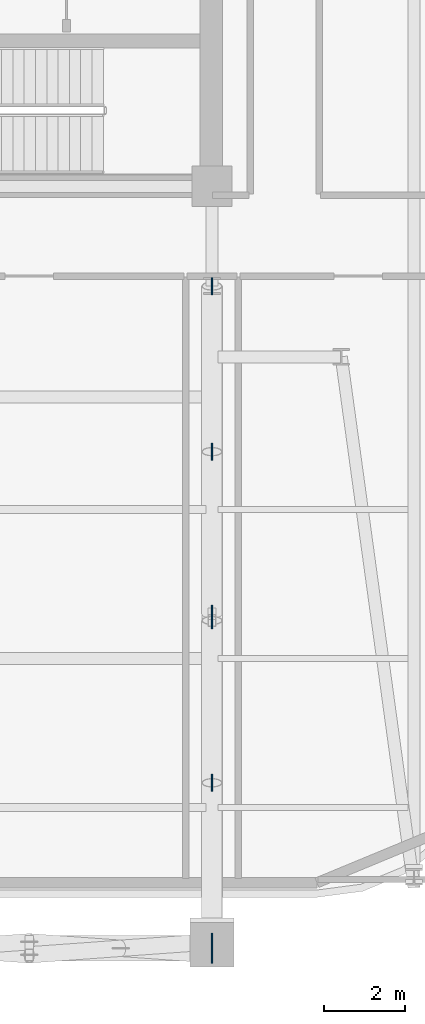
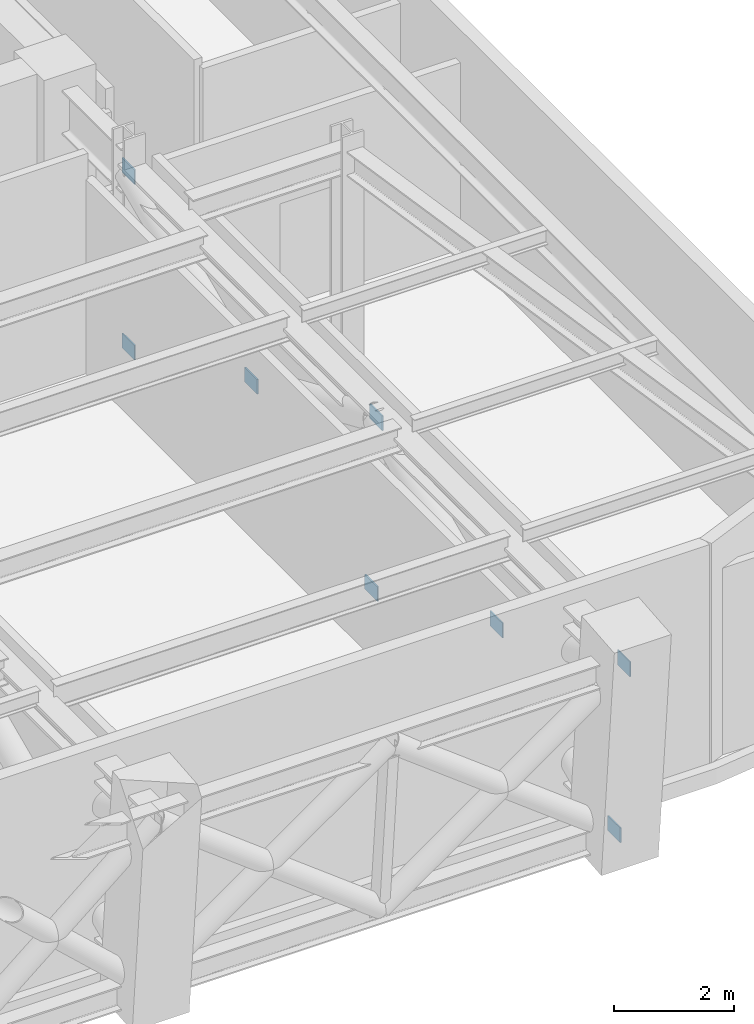
# One storey, part 6 of 12: 8 plates.
"""IFC4 building model written with IfcOpenShell, lengths in metres."""

import ifcopenshell
import ifcopenshell.guid

model = None  # the IFC model being written
_history = None  # IfcOwnerHistory: only IFC2X3 demands one
_inside = {}  # id of a spatial element -> (the spatial element, [elements in it])
_under = {}  # id of a project, library or spatial element -> (it, [spatial elements below it])
_declared = {}  # id of a project -> (the project, [libraries it declares])
_typed = {}  # id of a type object -> (the type object, [elements of that type])
_made_of = {}  # id of a material, layer set ... -> (it, [elements and type objects made of it])


def new_model(schema):
    """Start an empty IFC model of exactly this schema.

    Asked for "IFC4X3", IfcOpenShell would pick the latest addendum, in which some entities
    have other attributes; the version numbers below select the first issue.
    IFC2X3 requires an IfcOwnerHistory on every rooted entity: one is made here for all.
    """
    global model, _history
    if schema == "IFC4X3":
        model = ifcopenshell.file(schema_version=(4, 3, 0, 0))
    else:
        model = ifcopenshell.file(schema=schema)
    _inside.clear()
    _under.clear()
    _declared.clear()
    _typed.clear()
    _made_of.clear()
    _history = None
    if model.schema == "IFC2X3":
        org = make("IfcOrganization", Name="unknown")
        user = make(
            "IfcPersonAndOrganization",
            ThePerson=make("IfcPerson", FamilyName="unknown"),
            TheOrganization=org,
        )
        app = make(
            "IfcApplication",
            ApplicationDeveloper=org,
            Version="unknown",
            ApplicationFullName="unknown",
            ApplicationIdentifier="unknown",
        )
        _history = make(
            "IfcOwnerHistory",
            OwningUser=user,
            OwningApplication=app,
            ChangeAction="ADDED",
            CreationDate=0,
        )
    return model


def make(cls, **values):
    """One entity of the class cls with the attributes given. An attribute that is None is left unset."""
    return model.create_entity(
        cls, **{name: value for name, value in values.items() if value is not None}
    )


def rooted(cls, **values):
    """An entity with a GlobalId (a new one), such as an element, a storey or a relation."""
    return make(cls, GlobalId=ifcopenshell.guid.new(), OwnerHistory=_history, **values)


def si_unit(unit_type, name, prefix=None):
    """IfcSIUnit, for example si_unit("LENGTHUNIT", "METRE", prefix="MILLI")."""
    return make("IfcSIUnit", UnitType=unit_type, Prefix=prefix, Name=name)


def assignment(units):
    """IfcUnitAssignment: the units of a project."""
    return None if units is None else make("IfcUnitAssignment", Units=units)


def point(xyz):
    """IfcCartesianPoint."""
    return None if xyz is None else make("IfcCartesianPoint", Coordinates=xyz)


def direction(xyz):
    """IfcDirection."""
    return None if xyz is None else make("IfcDirection", DirectionRatios=xyz)


def frame(location, z_axis=None, x_axis=None):
    """IfcAxis2Placement3D, a coordinate frame: its origin and axes. An axis left out is left unset."""
    return make(
        "IfcAxis2Placement3D",
        Location=point(location),
        Axis=direction(z_axis),
        RefDirection=direction(x_axis),
    )


def frame_2d(location, x_axis=None):
    """IfcAxis2Placement2D, a coordinate frame in the plane: its origin and x axis."""
    return make(
        "IfcAxis2Placement2D", Location=point(location), RefDirection=direction(x_axis)
    )


def origin():
    """The frame at (0, 0, 0) with its axes left unset."""
    return frame((0.0, 0.0, 0.0))


def origin_2d():
    """The frame at (0, 0) in the plane with its x axis left unset."""
    return frame_2d((0.0, 0.0))


def place(relative_to, where):
    """IfcLocalPlacement: puts the frame where relative to a parent placement (None: the world)."""
    return make(
        "IfcLocalPlacement", PlacementRelTo=relative_to, RelativePlacement=where
    )


def context(
    kind, dimensions, precision=None, world=None, true_north=None, identifier=None
):
    """IfcGeometricRepresentationContext, for example the 3D "Model" context."""
    return make(
        "IfcGeometricRepresentationContext",
        ContextIdentifier=identifier,
        ContextType=kind,
        CoordinateSpaceDimension=dimensions,
        Precision=precision,
        WorldCoordinateSystem=world,
        TrueNorth=true_north,
    )


def subcontext(parent, identifier, kind, view, scale=None):
    """IfcGeometricRepresentationSubContext, for example "Body" below "Model"."""
    return make(
        "IfcGeometricRepresentationSubContext",
        ContextIdentifier=identifier,
        ContextType=kind,
        ParentContext=parent,
        TargetScale=scale,
        TargetView=view,
    )


def project(units=None, contexts=None):
    """IfcProject with its units and contexts."""
    return rooted(
        "IfcProject",
        Name="project",
        RepresentationContexts=contexts,
        UnitsInContext=assignment(units),
    )


def spatial(cls, under=None, at=None, **own):
    """A site, building, storey or space (cls), placed at a placement, below another one or the project."""
    s = rooted(cls, ObjectPlacement=at, **own)
    if under is not None:
        _under.setdefault(under.id(), (under, []))[1].append(s)
    return s


def profile(cls, at=None, kind="AREA", **sizes):
    """A parametric profile (cls). Its sizes go by their IFC names, for example OverallWidth=200.0."""
    return make(cls, ProfileType=kind, Position=at, **sizes)


def rectangle(**sizes):
    """IfcRectangleProfileDef."""
    return profile("IfcRectangleProfileDef", **sizes)


def extrude(swept, where, along, depth):
    """IfcExtrudedAreaSolid: the profile swept, set in the frame where, extruded along a direction by depth."""
    return make(
        "IfcExtrudedAreaSolid",
        SweptArea=swept,
        Position=where,
        ExtrudedDirection=direction(along),
        Depth=depth,
    )


def shape(context_of_items, identifier, shape_type, items):
    """IfcShapeRepresentation: the items that make up one representation, for example the "Body"."""
    return make(
        "IfcShapeRepresentation",
        ContextOfItems=context_of_items,
        RepresentationIdentifier=identifier,
        RepresentationType=shape_type,
        Items=items,
    )


def material(Name=None, Category=None):
    """IfcMaterial."""
    return make("IfcMaterial", Name=Name, Category=Category)


def layer(
    of_material, thickness, ventilated=None, Name=None, Category=None, Priority=None
):
    """IfcMaterialLayer: one layer of a wall or slab, of a material (None: an air gap)."""
    return make(
        "IfcMaterialLayer",
        Material=of_material,
        LayerThickness=thickness,
        IsVentilated=ventilated,
        Name=Name,
        Category=Category,
        Priority=Priority,
    )


def layer_set(layers, Name=None):
    """IfcMaterialLayerSet."""
    return make("IfcMaterialLayerSet", MaterialLayers=layers, LayerSetName=Name)


def made_of(thing, what):
    """Note that an element or type object is made of a material, layer set ...; save() writes the relation."""
    if what is not None:
        _made_of.setdefault(what.id(), (what, []))[1].append(thing)
    return thing


def type_object(cls, material=None, **own):
    """A type object (cls), such as IfcWallType, which elements share."""
    return made_of(rooted(cls, **own), material)


def element(
    cls,
    number,
    at=None,
    inside=None,
    cuts=None,
    type_object=None,
    material=None,
    context=None,
    identifier="Body",
    shape_type=None,
    held_by="IfcProductDefinitionShape",
    body=None,
    shapes=None,
    **own,
):
    """One element of the class cls, such as IfcWall. Its Tag is "e" and its number.

    at: its placement. inside: the storey or other place that contains it. cuts: it is an
    opening in that element (IfcRelVoidsElement). A single representation is given by context,
    identifier, shape_type and body (its items); several are given by shapes. held_by: the class
    of the entity that holds the representations. save() writes the other relations.
    """
    e = rooted(cls, Tag="e%d" % number, ObjectPlacement=at, **own)
    if body is not None:
        shapes = [shape(context, identifier, shape_type, body)]
    if shapes is not None:
        e.Representation = make(held_by, Representations=shapes)
    if inside is not None:
        _inside.setdefault(inside.id(), (inside, []))[1].append(e)
    if cuts is not None:
        rooted(
            "IfcRelVoidsElement", RelatingBuildingElement=cuts, RelatedOpeningElement=e
        )
    if type_object is not None:
        _typed.setdefault(type_object.id(), (type_object, []))[1].append(e)
    return made_of(e, material)


def aggregate(whole, parts):
    """IfcRelAggregates: a whole, such as a stair, and the parts it consists of."""
    return rooted("IfcRelAggregates", RelatingObject=whole, RelatedObjects=parts)


def save(model, path):
    """Write the relations noted so far, then the file.

    IfcRelAggregates (storeys below a building ...), IfcRelContainedInSpatialStructure (elements
    in a storey), IfcRelDefinesByType, IfcRelAssociatesMaterial and IfcRelDeclares: one each for
    every whole, place, type object, material and project.
    """
    for whole, parts in _under.values():
        aggregate(whole, parts)
    for where, things in _inside.values():
        rooted(
            "IfcRelContainedInSpatialStructure",
            RelatedElements=things,
            RelatingStructure=where,
        )
    for kind, things in _typed.values():
        rooted("IfcRelDefinesByType", RelatedObjects=things, RelatingType=kind)
    for what, things in _made_of.values():
        rooted("IfcRelAssociatesMaterial", RelatedObjects=things, RelatingMaterial=what)
    for by, libraries in _declared.values():
        rooted("IfcRelDeclares", RelatingContext=by, RelatedDefinitions=libraries)
    model.write(path)


model = new_model("IFC4")

# Units and contexts
model_context = context("Model", 3, precision=1e-05, world=origin(), true_north=direction((0.0, 1.0)))
body_context = subcontext(model_context, "Body", "Model", "MODEL_VIEW")
ifc_project = project(units=[si_unit("LENGTHUNIT", "METRE"), si_unit("AREAUNIT", "SQUARE_METRE"), si_unit("VOLUMEUNIT", "CUBIC_METRE"), si_unit("PLANEANGLEUNIT", "RADIAN"), si_unit("MASSUNIT", "GRAM", prefix="KILO")], contexts=[model_context])

# Site, building, storey
site_placement = place(None, origin())
site = spatial("IfcSite", under=ifc_project, at=site_placement, CompositionType="ELEMENT")
building_placement = place(site_placement, origin())
building = spatial("IfcBuilding", under=site, at=building_placement, Name="Zarnavel Station Tower", CompositionType="ELEMENT")
storey_placement = place(building_placement, frame((0.0, 0.0, 188.39990234375)))
storey = spatial("IfcBuildingStorey", under=building, at=storey_placement, Name="L51", CompositionType="ELEMENT", Elevation=188.39990234375)

# Plates
ifc_material = material(Name="Steel S460M", Category="steel")
ifc_layer = layer(ifc_material, 0.02490234375)
ifc_layer_set = layer_set([ifc_layer], Name="GP_GUSSET_25")
plate_type = type_object("IfcPlateType", Name="GP_GUSSET_25", PredefinedType="USERDEFINED", material=ifc_layer_set)
for number, where, z_axis, x_axis, name in (
    (1, (45.39990234375, 9.118896484375, 0.25), (0.0, 0.0, 1.0), (1.0, 0.0, 0.0), "L51 Outrigger Gusset Plate 4-1"),
    (2, (45.39990234375, 8.79443359375, 3.830078125), (0.0, 0.0, 1.0), (1.0, 0.0, 0.0), "L51 Outrigger Gusset Plate 4-2"),
    (3, (45.39990234375, 17.234619140625, 0.25), (0.0, 0.0, 1.0), (1.0, 0.0, 0.0), "L51 Outrigger Gusset Plate 4-3"),
    (4, (45.39990234375, 17.072265625, 3.830078125), (0.0, 0.0, 1.0), (1.0, 0.0, 0.0), "L51 Outrigger Gusset Plate 4-4"),
    (5, (45.39990234375, 25.35009765625, 0.25), (0.0, 0.0, 1.0), (1.0, 0.0, 0.0), "L51 Outrigger Gusset Plate 4-5"),
    (6, (45.39990234375, 25.35009765625, 3.830078125), (0.0, 0.0, 1.0), (1.0, 0.0, 0.0), "L51 Outrigger Gusset Plate 4-6"),
    (7, (45.39990234375, 21.251708984375, 2.0400390625), (0.0, 0.0, 1.0), (1.0, 0.0, 0.0), "L51 Outrigger Gusset Plate 4-7"),
    (8, (45.39990234375, 13.054931640625, 2.0400390625), (0.0, 0.0, 1.0), (1.0, 0.0, 0.0), "L51 Outrigger Gusset Plate 4-8"),
):
    element("IfcPlate", number, at=place(storey_placement, frame(where, z_axis=z_axis, x_axis=x_axis)), inside=storey, type_object=plate_type, Name=name, ObjectType="GUSSET_PLATE", PredefinedType="USERDEFINED", context=body_context, shape_type="SweptSolid", body=[
        extrude(rectangle(XDim=0.02490234375, YDim=0.419921875, at=origin_2d()), origin(), (0.0, 0.0, 1.0), 0.300048828125),
    ])

save(model, "model.ifc")
